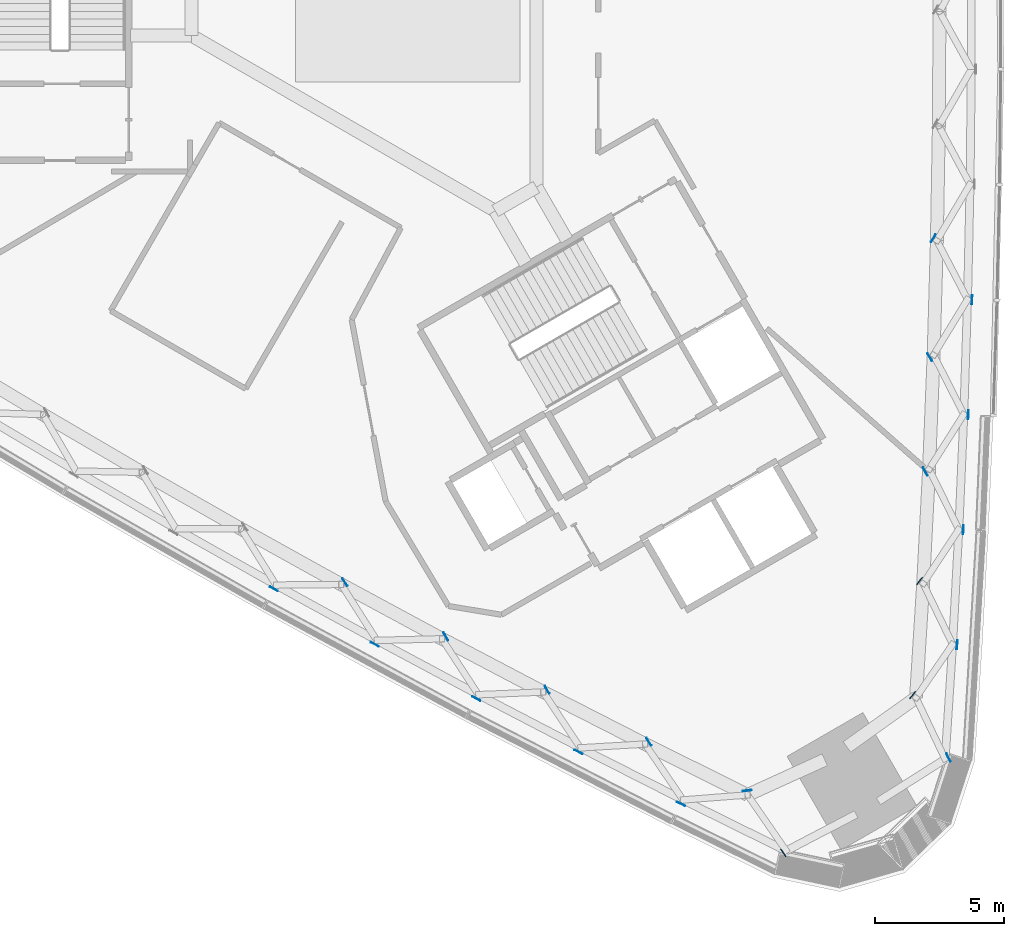
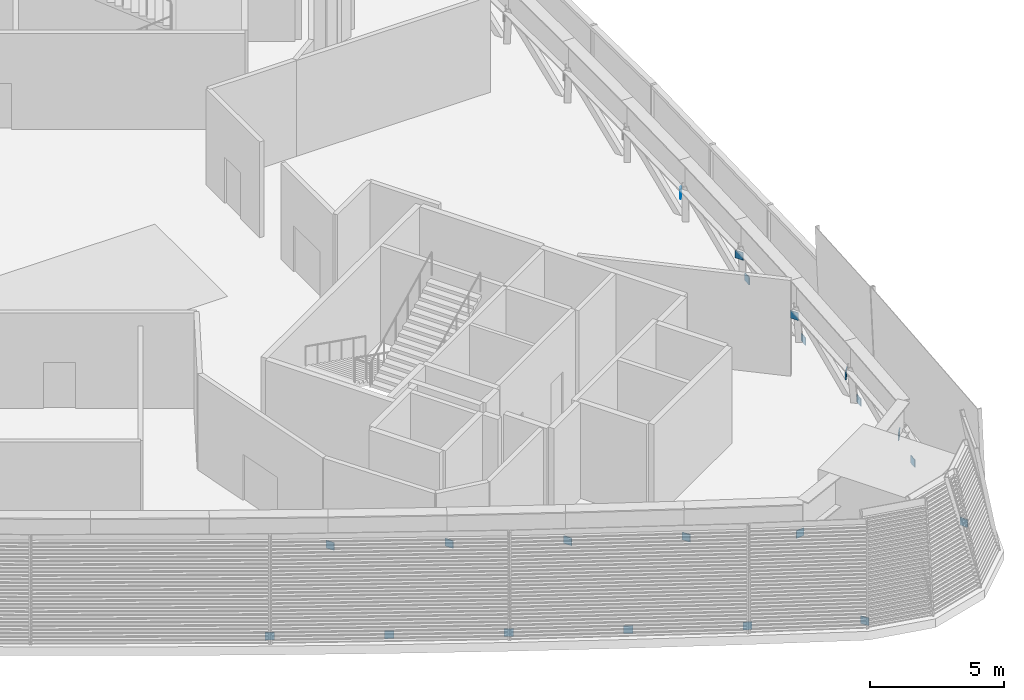
# One storey, part 7 of 19: 21 plates.
"""IFC4 building model written with IfcOpenShell, lengths in metres."""

import ifcopenshell
import ifcopenshell.guid

model = None  # the IFC model being written
_history = None  # IfcOwnerHistory: only IFC2X3 demands one
_inside = {}  # id of a spatial element -> (the spatial element, [elements in it])
_under = {}  # id of a project, library or spatial element -> (it, [spatial elements below it])
_declared = {}  # id of a project -> (the project, [libraries it declares])
_typed = {}  # id of a type object -> (the type object, [elements of that type])
_made_of = {}  # id of a material, layer set ... -> (it, [elements and type objects made of it])


def new_model(schema):
    """Start an empty IFC model of exactly this schema.

    Asked for "IFC4X3", IfcOpenShell would pick the latest addendum, in which some entities
    have other attributes; the version numbers below select the first issue.
    IFC2X3 requires an IfcOwnerHistory on every rooted entity: one is made here for all.
    """
    global model, _history
    if schema == "IFC4X3":
        model = ifcopenshell.file(schema_version=(4, 3, 0, 0))
    else:
        model = ifcopenshell.file(schema=schema)
    _inside.clear()
    _under.clear()
    _declared.clear()
    _typed.clear()
    _made_of.clear()
    _history = None
    if model.schema == "IFC2X3":
        org = make("IfcOrganization", Name="unknown")
        user = make(
            "IfcPersonAndOrganization",
            ThePerson=make("IfcPerson", FamilyName="unknown"),
            TheOrganization=org,
        )
        app = make(
            "IfcApplication",
            ApplicationDeveloper=org,
            Version="unknown",
            ApplicationFullName="unknown",
            ApplicationIdentifier="unknown",
        )
        _history = make(
            "IfcOwnerHistory",
            OwningUser=user,
            OwningApplication=app,
            ChangeAction="ADDED",
            CreationDate=0,
        )
    return model


def make(cls, **values):
    """One entity of the class cls with the attributes given. An attribute that is None is left unset."""
    return model.create_entity(
        cls, **{name: value for name, value in values.items() if value is not None}
    )


def rooted(cls, **values):
    """An entity with a GlobalId (a new one), such as an element, a storey or a relation."""
    return make(cls, GlobalId=ifcopenshell.guid.new(), OwnerHistory=_history, **values)


def si_unit(unit_type, name, prefix=None):
    """IfcSIUnit, for example si_unit("LENGTHUNIT", "METRE", prefix="MILLI")."""
    return make("IfcSIUnit", UnitType=unit_type, Prefix=prefix, Name=name)


def assignment(units):
    """IfcUnitAssignment: the units of a project."""
    return None if units is None else make("IfcUnitAssignment", Units=units)


def point(xyz):
    """IfcCartesianPoint."""
    return None if xyz is None else make("IfcCartesianPoint", Coordinates=xyz)


def direction(xyz):
    """IfcDirection."""
    return None if xyz is None else make("IfcDirection", DirectionRatios=xyz)


def frame(location, z_axis=None, x_axis=None):
    """IfcAxis2Placement3D, a coordinate frame: its origin and axes. An axis left out is left unset."""
    return make(
        "IfcAxis2Placement3D",
        Location=point(location),
        Axis=direction(z_axis),
        RefDirection=direction(x_axis),
    )


def frame_2d(location, x_axis=None):
    """IfcAxis2Placement2D, a coordinate frame in the plane: its origin and x axis."""
    return make(
        "IfcAxis2Placement2D", Location=point(location), RefDirection=direction(x_axis)
    )


def origin():
    """The frame at (0, 0, 0) with its axes left unset."""
    return frame((0.0, 0.0, 0.0))


def origin_2d():
    """The frame at (0, 0) in the plane with its x axis left unset."""
    return frame_2d((0.0, 0.0))


def place(relative_to, where):
    """IfcLocalPlacement: puts the frame where relative to a parent placement (None: the world)."""
    return make(
        "IfcLocalPlacement", PlacementRelTo=relative_to, RelativePlacement=where
    )


def context(
    kind, dimensions, precision=None, world=None, true_north=None, identifier=None
):
    """IfcGeometricRepresentationContext, for example the 3D "Model" context."""
    return make(
        "IfcGeometricRepresentationContext",
        ContextIdentifier=identifier,
        ContextType=kind,
        CoordinateSpaceDimension=dimensions,
        Precision=precision,
        WorldCoordinateSystem=world,
        TrueNorth=true_north,
    )


def subcontext(parent, identifier, kind, view, scale=None):
    """IfcGeometricRepresentationSubContext, for example "Body" below "Model"."""
    return make(
        "IfcGeometricRepresentationSubContext",
        ContextIdentifier=identifier,
        ContextType=kind,
        ParentContext=parent,
        TargetScale=scale,
        TargetView=view,
    )


def project(units=None, contexts=None):
    """IfcProject with its units and contexts."""
    return rooted(
        "IfcProject",
        Name="project",
        RepresentationContexts=contexts,
        UnitsInContext=assignment(units),
    )


def spatial(cls, under=None, at=None, **own):
    """A site, building, storey or space (cls), placed at a placement, below another one or the project."""
    s = rooted(cls, ObjectPlacement=at, **own)
    if under is not None:
        _under.setdefault(under.id(), (under, []))[1].append(s)
    return s


def profile(cls, at=None, kind="AREA", **sizes):
    """A parametric profile (cls). Its sizes go by their IFC names, for example OverallWidth=200.0."""
    return make(cls, ProfileType=kind, Position=at, **sizes)


def rectangle(**sizes):
    """IfcRectangleProfileDef."""
    return profile("IfcRectangleProfileDef", **sizes)


def extrude(swept, where, along, depth):
    """IfcExtrudedAreaSolid: the profile swept, set in the frame where, extruded along a direction by depth."""
    return make(
        "IfcExtrudedAreaSolid",
        SweptArea=swept,
        Position=where,
        ExtrudedDirection=direction(along),
        Depth=depth,
    )


def shape(context_of_items, identifier, shape_type, items):
    """IfcShapeRepresentation: the items that make up one representation, for example the "Body"."""
    return make(
        "IfcShapeRepresentation",
        ContextOfItems=context_of_items,
        RepresentationIdentifier=identifier,
        RepresentationType=shape_type,
        Items=items,
    )


def material(Name=None, Category=None):
    """IfcMaterial."""
    return make("IfcMaterial", Name=Name, Category=Category)


def layer(
    of_material, thickness, ventilated=None, Name=None, Category=None, Priority=None
):
    """IfcMaterialLayer: one layer of a wall or slab, of a material (None: an air gap)."""
    return make(
        "IfcMaterialLayer",
        Material=of_material,
        LayerThickness=thickness,
        IsVentilated=ventilated,
        Name=Name,
        Category=Category,
        Priority=Priority,
    )


def layer_set(layers, Name=None):
    """IfcMaterialLayerSet."""
    return make("IfcMaterialLayerSet", MaterialLayers=layers, LayerSetName=Name)


def made_of(thing, what):
    """Note that an element or type object is made of a material, layer set ...; save() writes the relation."""
    if what is not None:
        _made_of.setdefault(what.id(), (what, []))[1].append(thing)
    return thing


def type_object(cls, material=None, **own):
    """A type object (cls), such as IfcWallType, which elements share."""
    return made_of(rooted(cls, **own), material)


def element(
    cls,
    number,
    at=None,
    inside=None,
    cuts=None,
    type_object=None,
    material=None,
    context=None,
    identifier="Body",
    shape_type=None,
    held_by="IfcProductDefinitionShape",
    body=None,
    shapes=None,
    **own,
):
    """One element of the class cls, such as IfcWall. Its Tag is "e" and its number.

    at: its placement. inside: the storey or other place that contains it. cuts: it is an
    opening in that element (IfcRelVoidsElement). A single representation is given by context,
    identifier, shape_type and body (its items); several are given by shapes. held_by: the class
    of the entity that holds the representations. save() writes the other relations.
    """
    e = rooted(cls, Tag="e%d" % number, ObjectPlacement=at, **own)
    if body is not None:
        shapes = [shape(context, identifier, shape_type, body)]
    if shapes is not None:
        e.Representation = make(held_by, Representations=shapes)
    if inside is not None:
        _inside.setdefault(inside.id(), (inside, []))[1].append(e)
    if cuts is not None:
        rooted(
            "IfcRelVoidsElement", RelatingBuildingElement=cuts, RelatedOpeningElement=e
        )
    if type_object is not None:
        _typed.setdefault(type_object.id(), (type_object, []))[1].append(e)
    return made_of(e, material)


def aggregate(whole, parts):
    """IfcRelAggregates: a whole, such as a stair, and the parts it consists of."""
    return rooted("IfcRelAggregates", RelatingObject=whole, RelatedObjects=parts)


def save(model, path):
    """Write the relations noted so far, then the file.

    IfcRelAggregates (storeys below a building ...), IfcRelContainedInSpatialStructure (elements
    in a storey), IfcRelDefinesByType, IfcRelAssociatesMaterial and IfcRelDeclares: one each for
    every whole, place, type object, material and project.
    """
    for whole, parts in _under.values():
        aggregate(whole, parts)
    for where, things in _inside.values():
        rooted(
            "IfcRelContainedInSpatialStructure",
            RelatedElements=things,
            RelatingStructure=where,
        )
    for kind, things in _typed.values():
        rooted("IfcRelDefinesByType", RelatedObjects=things, RelatingType=kind)
    for what, things in _made_of.values():
        rooted("IfcRelAssociatesMaterial", RelatedObjects=things, RelatingMaterial=what)
    for by, libraries in _declared.values():
        rooted("IfcRelDeclares", RelatingContext=by, RelatedDefinitions=libraries)
    model.write(path)


model = new_model("IFC4")

# Units and contexts
model_context = context("Model", 3, precision=1e-05, world=origin(), true_north=direction((0.0, 1.0)))
body_context = subcontext(model_context, "Body", "Model", "MODEL_VIEW")
ifc_project = project(units=[si_unit("LENGTHUNIT", "METRE"), si_unit("AREAUNIT", "SQUARE_METRE"), si_unit("VOLUMEUNIT", "CUBIC_METRE"), si_unit("PLANEANGLEUNIT", "RADIAN"), si_unit("MASSUNIT", "GRAM", prefix="KILO")], contexts=[model_context])

# Site, building, storey
site_placement = place(None, origin())
site = spatial("IfcSite", under=ifc_project, at=site_placement, CompositionType="ELEMENT")
building_placement = place(site_placement, origin())
building = spatial("IfcBuilding", under=site, at=building_placement, Name="Tamra Quay Hotel Tower", CompositionType="ELEMENT")
storey_placement = place(building_placement, frame((0.0, 0.0, 74.60009765625)))
storey = spatial("IfcBuildingStorey", under=building, at=storey_placement, Name="L17", CompositionType="ELEMENT", Elevation=74.60009765625)

# Plates
ifc_material = material(Name="Structural steel IS 2062 E350", Category="steel")
ifc_layer = layer(ifc_material, 0.030029296875)
ifc_layer_set = layer_set([ifc_layer], Name="BRACE END PLATE 30")
plate_type = type_object("IfcPlateType", Name="BRACE END PLATE 30", PredefinedType="SHEET", material=ifc_layer_set)
for number, where, z_axis, x_axis, name in (
    (1, (21.005615234375, -28.973876953125, -0.400146484375), (0.0, 0.0, 1.0), (0.903324063058, 0.428958782519, 0.0), "BEP-L17-001"),
    (2, (21.34228515625, -24.58544921875, -0.400146484375), (0.0, 0.0, 1.0), (-0.997211766281, 0.074623677139, 0.0), "BEP-L17-002"),
    (3, (21.583984375, -20.11962890625, -0.400146484375), (0.0, 0.0, 1.0), (-0.998125944315, 0.061193131024, 0.0), "BEP-L17-003"),
    (4, (21.777587890625, -15.65087890625, -0.400146484375), (0.0, 0.0, 1.0), (-0.998867316534, 0.047582391283, 0.0), "BEP-L17-004"),
    (5, (21.9228515625, -11.180419921875, -0.400146484375), (0.0, 0.0, 1.0), (-0.999422741626, 0.033973276578, 0.0), "BEP-L17-005"),
    (6, (-5.19970703125, -22.424072265625, -0.400146484375), (0.0, 0.0, 1.0), (0.482180331756, 0.87607198772, 0.0), "BEP-L17-037"),
    (7, (-1.27880859375, -24.575927734375, -0.400146484375), (0.0, 0.0, 1.0), (0.470281948858, 0.882516225674, 0.0), "BEP-L17-038"),
    (8, (2.665283203125, -26.685302734375, -0.400146484375), (0.0, 0.0, 1.0), (0.458229201262, 0.888834067254, 0.0), "BEP-L17-039"),
    (9, (6.632080078125, -28.752197265625, -0.400146484375), (0.0, 0.0, 1.0), (0.446088472922, 0.89498886827, 0.0), "BEP-L17-040"),
    (10, (10.620361328125, -30.775634765625, -0.400146484375), (0.0, 0.0, 1.0), (0.433994034619, 0.900915744071, 0.0), "BEP-L17-041"),
    (11, (14.58935546875, -32.677978515625, -0.400146484375), (0.0, 0.0, 1.0), (0.823136368534, 0.567843745053, 0.0), "BEP-L17-042"),
    (12, (19.61328125, -26.54638671875, 2.624755859375), (0.0, 0.0, 1.0), (-0.793282148095, 0.608854197253, 0.0), "BEP-L17-043"),
    (13, (19.888427734375, -22.1103515625, 2.624755859375), (0.0, 0.0, 1.0), (-0.801152506687, 0.598460241812, 0.0), "BEP-L17-044"),
    (14, (20.103515625, -17.859375, 2.624755859375), (0.0, 0.0, 1.0), (0.866103932916, 0.49986395888, 0.0), "BEP-L17-045"),
    (15, (20.281005859375, -13.4208984375, 2.624755859375), (0.0, 0.0, 1.0), (0.859451026968, 0.511218086773, 0.0), "BEP-L17-046"),
    (16, (20.416015625, -8.80224609375, 2.624755859375), (0.0, 0.0, 1.0), (-0.852603684995, 0.522558088955, 0.0), "BEP-L17-047"),
    (17, (-2.43896484375, -22.160888671875, 2.624755859375), (0.0, 0.0, 1.0), (0.85259730068, 0.522568505435, 0.0), "BEP-L17-077"),
    (18, (1.482421875, -24.274169921875, 2.624755859375), (0.0, 0.0, 1.0), (0.872451657622, 0.48870042471, 0.0), "BEP-L17-078"),
    (19, (5.4150390625, -26.33984375, 2.624755859375), (0.0, 0.0, 1.0), (0.865952090649, 0.500126960582, 0.0), "BEP-L17-079"),
    (20, (9.370361328125, -28.361083984375, 2.624755859375), (0.0, 0.0, 1.0), (0.859331442784, 0.511419076142, 0.0), "BEP-L17-080"),
    (21, (13.183349609375, -30.2587890625, 2.624755859375), (0.0, 0.0, 1.0), (-0.130649049456, 0.991428679168, 0.0), "BEP-L17-081"),
):
    element("IfcPlate", number, at=place(storey_placement, frame(where, z_axis=z_axis, x_axis=x_axis)), inside=storey, type_object=plate_type, Name=name, PredefinedType="SHEET", context=body_context, shape_type="SweptSolid", body=[
        extrude(rectangle(XDim=0.030029296875, YDim=0.35009765625, at=origin_2d()), origin(), (0.0, 0.0, 1.0), 0.35009765625),
    ])

save(model, "model.ifc")
